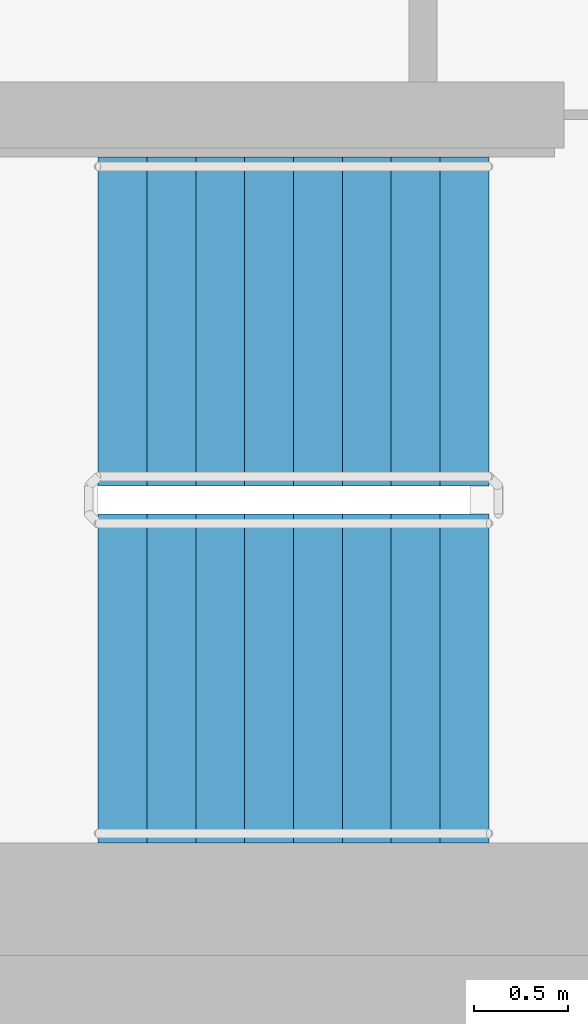
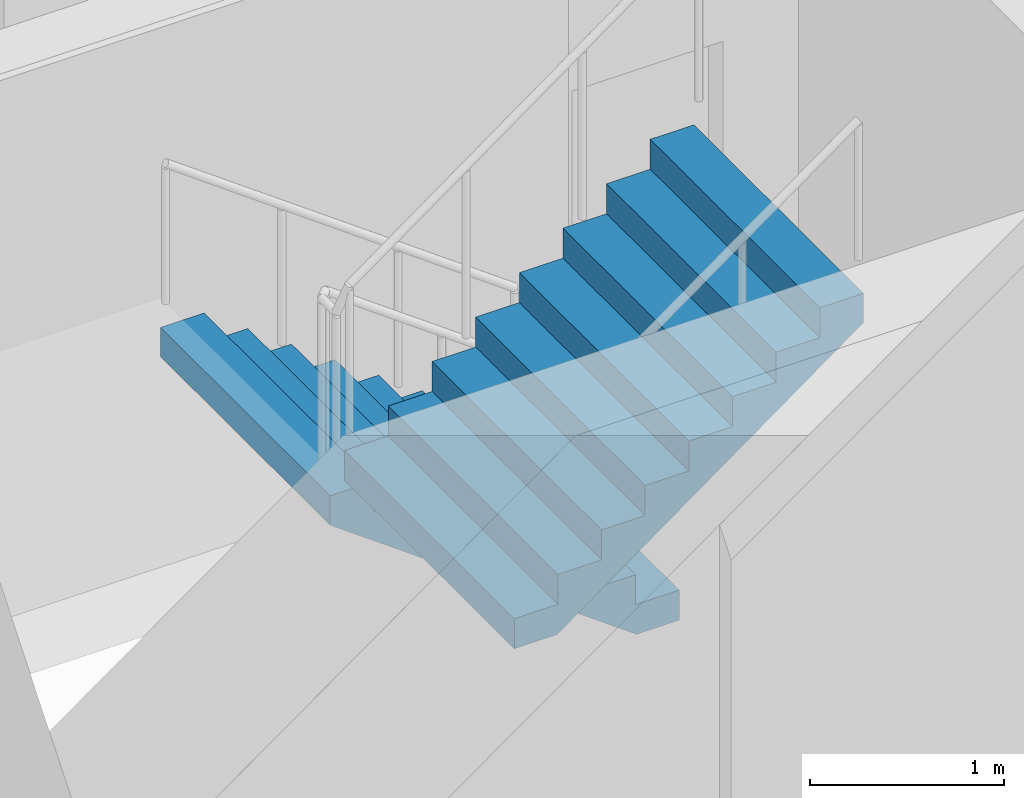
# One storey, part 13 of 19: 2 stair flights, 1 element without a shape of its own.
"""IFC4 building model written with IfcOpenShell, lengths in metres."""

from ifc_helpers import new_model, si_unit, direction, frame, origin, place, context, subcontext, project, spatial, faceted_brep, material, type_object, element, aggregate, save


model = new_model("IFC4")

# Units and contexts
model_context = context("Model", 3, precision=1e-05, world=origin(), true_north=direction((0.0, 1.0)))
body_context = subcontext(model_context, "Body", "Model", "MODEL_VIEW")
ifc_project = project(units=[si_unit("LENGTHUNIT", "METRE"), si_unit("AREAUNIT", "SQUARE_METRE"), si_unit("VOLUMEUNIT", "CUBIC_METRE"), si_unit("PLANEANGLEUNIT", "RADIAN"), si_unit("MASSUNIT", "GRAM", prefix="KILO")], contexts=[model_context])

# Site, building, storey
site_placement = place(None, origin())
site = spatial("IfcSite", under=ifc_project, at=site_placement, CompositionType="ELEMENT")
building_placement = place(site_placement, origin())
building = spatial("IfcBuilding", under=site, at=building_placement, Name="Ipe Terrace Towers", CompositionType="ELEMENT")
storey_placement = place(building_placement, frame((0.0, 0.0, 185.800048828125)))
storey = spatial("IfcBuildingStorey", under=building, at=storey_placement, Name="L51", CompositionType="ELEMENT", Elevation=185.800048828125)

# Stair, stair flights
ifc_material_1 = material(Name="Concrete C30/37", Category="concrete")
stair_type = type_object("IfcStairType", Name="Protected exit stair", PredefinedType="HALF_TURN_STAIR", material=ifc_material_1)
stair_placement = place(storey_placement, origin())
stair = element("IfcStair", 1, at=stair_placement, inside=storey, type_object=stair_type, Name="L51 Exit stair T1-C2", PredefinedType="HALF_TURN_STAIR")
ifc_material_2 = material(Name="Concrete C30/37", Category="concrete")
stair_flight_type = type_object("IfcStairFlightType", Name="Exit stair flight 1750", PredefinedType="STRAIGHT", material=ifc_material_2)
stair_flight_1_placement = place(storey_placement, frame((-45.699951171875, -2.77490234375, 0.0), z_axis=(0.0, 0.0, 1.0), x_axis=(-1.0, 0.0, 0.0)))
stair_flight_1 = element("IfcStairFlight", 2, at=stair_flight_1_placement, type_object=stair_flight_type, Name="T1-ST2 flight 1", NumberOfRisers=9, NumberOfTreads=8, PredefinedType="STRAIGHT", RiserHeight=0.188888889, TreadLength=0.26, context=body_context, shape_type="Brep", body=[
    faceted_brep([(0.255126953125, -0.875, 0.0), (2.080078125, -0.875, 1.325927734375), (2.080078125, -0.875, 1.51123046875), (1.820068359375, -0.875, 1.51123046875), (1.820068359375, -0.875, 1.322265625), (1.56005859375, -0.875, 1.322265625), (1.56005859375, -0.875, 1.13330078125), (1.300048828125, -0.875, 1.13330078125), (1.300048828125, -0.875, 0.9443359375), (1.0400390625, -0.875, 0.9443359375), (1.0400390625, -0.875, 0.755615234375), (0.780029296875, -0.875, 0.755615234375), (0.780029296875, -0.875, 0.566650390625), (0.52001953125, -0.875, 0.566650390625), (0.52001953125, -0.875, 0.377685546875), (0.260009765625, -0.875, 0.377685546875), (0.260009765625, -0.875, 0.18896484375), (0.0, -0.875, 0.18896484375), (0.0, -0.875, 0.0), (0.0, 0.875, 0.0), (0.0, 0.875, 0.18896484375), (0.260009765625, 0.875, 0.18896484375), (0.260009765625, 0.875, 0.377685546875), (0.52001953125, 0.875, 0.377685546875), (0.52001953125, 0.875, 0.566650390625), (0.780029296875, 0.875, 0.566650390625), (0.780029296875, 0.875, 0.755615234375), (1.0400390625, 0.875, 0.755615234375), (1.0400390625, 0.875, 0.9443359375), (1.300048828125, 0.875, 0.9443359375), (1.300048828125, 0.875, 1.13330078125), (1.56005859375, 0.875, 1.13330078125), (1.56005859375, 0.875, 1.322265625), (1.820068359375, 0.875, 1.322265625), (1.820068359375, 0.875, 1.51123046875), (2.080078125, 0.875, 1.51123046875), (2.080078125, 0.875, 1.325927734375), (0.255126953125, 0.875, 0.0), (0.0, -0.300048828125, 0.18896484375), (0.0, -0.1201171875, 0.18896484375), (0.0, -0.06005859375, 0.18896484375), (0.0, -0.030029296875, 0.18896484375), (0.0, -0.010009765625, 0.18896484375), (0.0, 0.0, 0.18896484375), (0.0, 0.010009765625, 0.18896484375), (0.0, 0.030029296875, 0.18896484375), (0.0, 0.06005859375, 0.18896484375), (0.0, 0.1201171875, 0.18896484375), (0.0, 0.300048828125, 0.18896484375), (0.0, 0.300048828125, 0.0), (0.0, 0.1201171875, 0.0), (0.0, 0.06005859375, 0.0), (0.0, 0.030029296875, 0.0), (0.0, 0.010009765625, 0.0), (0.0, 0.0, 0.0), (0.0, -0.010009765625, 0.0), (0.0, -0.030029296875, 0.0), (0.0, -0.06005859375, 0.0), (0.0, -0.1201171875, 0.0), (0.0, -0.300048828125, 0.0), (0.260009765625, -0.300048828125, 0.18896484375), (0.260009765625, -0.1201171875, 0.18896484375), (0.260009765625, -0.06005859375, 0.18896484375), (0.260009765625, -0.030029296875, 0.18896484375), (0.260009765625, -0.010009765625, 0.18896484375), (0.260009765625, 0.0, 0.18896484375), (0.260009765625, 0.010009765625, 0.18896484375), (0.260009765625, 0.030029296875, 0.18896484375), (0.260009765625, 0.06005859375, 0.18896484375), (0.260009765625, 0.1201171875, 0.18896484375), (0.260009765625, 0.300048828125, 0.18896484375), (0.260009765625, -0.300048828125, 0.377685546875), (0.260009765625, -0.1201171875, 0.377685546875), (0.260009765625, -0.06005859375, 0.377685546875), (0.260009765625, -0.030029296875, 0.377685546875), (0.260009765625, -0.010009765625, 0.377685546875), (0.260009765625, 0.0, 0.377685546875), (0.260009765625, 0.010009765625, 0.377685546875), (0.260009765625, 0.030029296875, 0.377685546875), (0.260009765625, 0.06005859375, 0.377685546875), (0.260009765625, 0.1201171875, 0.377685546875), (0.260009765625, 0.300048828125, 0.377685546875), (0.52001953125, -0.300048828125, 0.377685546875), (0.52001953125, -0.1201171875, 0.377685546875), (0.52001953125, -0.06005859375, 0.377685546875), (0.52001953125, -0.030029296875, 0.377685546875), (0.52001953125, -0.010009765625, 0.377685546875), (0.52001953125, 0.0, 0.377685546875), (0.52001953125, 0.010009765625, 0.377685546875), (0.52001953125, 0.030029296875, 0.377685546875), (0.52001953125, 0.06005859375, 0.377685546875), (0.52001953125, 0.1201171875, 0.377685546875), (0.52001953125, 0.300048828125, 0.377685546875), (0.52001953125, -0.300048828125, 0.566650390625), (0.52001953125, -0.1201171875, 0.566650390625), (0.52001953125, -0.06005859375, 0.566650390625), (0.52001953125, -0.030029296875, 0.566650390625), (0.52001953125, -0.010009765625, 0.566650390625), (0.52001953125, 0.0, 0.566650390625), (0.52001953125, 0.010009765625, 0.566650390625), (0.52001953125, 0.030029296875, 0.566650390625), (0.52001953125, 0.06005859375, 0.566650390625), (0.52001953125, 0.1201171875, 0.566650390625), (0.52001953125, 0.300048828125, 0.566650390625), (0.780029296875, -0.300048828125, 0.566650390625), (0.780029296875, -0.1201171875, 0.566650390625), (0.780029296875, -0.06005859375, 0.566650390625), (0.780029296875, -0.030029296875, 0.566650390625), (0.780029296875, -0.010009765625, 0.566650390625), (0.780029296875, 0.0, 0.566650390625), (0.780029296875, 0.010009765625, 0.566650390625), (0.780029296875, 0.030029296875, 0.566650390625), (0.780029296875, 0.06005859375, 0.566650390625), (0.780029296875, 0.1201171875, 0.566650390625), (0.780029296875, 0.300048828125, 0.566650390625), (0.780029296875, -0.300048828125, 0.755615234375), (0.780029296875, -0.1201171875, 0.755615234375), (0.780029296875, -0.06005859375, 0.755615234375), (0.780029296875, -0.030029296875, 0.755615234375), (0.780029296875, -0.010009765625, 0.755615234375), (0.780029296875, 0.0, 0.755615234375), (0.780029296875, 0.010009765625, 0.755615234375), (0.780029296875, 0.030029296875, 0.755615234375), (0.780029296875, 0.06005859375, 0.755615234375), (0.780029296875, 0.1201171875, 0.755615234375), (0.780029296875, 0.300048828125, 0.755615234375), (1.0400390625, -0.300048828125, 0.755615234375), (1.0400390625, -0.1201171875, 0.755615234375), (1.0400390625, -0.06005859375, 0.755615234375), (1.0400390625, -0.030029296875, 0.755615234375), (1.0400390625, -0.010009765625, 0.755615234375), (1.0400390625, 0.0, 0.755615234375), (1.0400390625, 0.010009765625, 0.755615234375), (1.0400390625, 0.030029296875, 0.755615234375), (1.0400390625, 0.06005859375, 0.755615234375), (1.0400390625, 0.1201171875, 0.755615234375), (1.0400390625, 0.300048828125, 0.755615234375), (1.0400390625, -0.300048828125, 0.9443359375), (1.0400390625, -0.1201171875, 0.9443359375), (1.0400390625, -0.06005859375, 0.9443359375), (1.0400390625, -0.030029296875, 0.9443359375), (1.0400390625, -0.010009765625, 0.9443359375), (1.0400390625, 0.0, 0.9443359375), (1.0400390625, 0.010009765625, 0.9443359375), (1.0400390625, 0.030029296875, 0.9443359375), (1.0400390625, 0.06005859375, 0.9443359375), (1.0400390625, 0.1201171875, 0.9443359375), (1.0400390625, 0.300048828125, 0.9443359375), (1.300048828125, -0.300048828125, 0.9443359375), (1.300048828125, -0.1201171875, 0.9443359375), (1.300048828125, -0.06005859375, 0.9443359375), (1.300048828125, -0.030029296875, 0.9443359375), (1.300048828125, -0.010009765625, 0.9443359375), (1.300048828125, 0.0, 0.9443359375), (1.300048828125, 0.010009765625, 0.9443359375), (1.300048828125, 0.030029296875, 0.9443359375), (1.300048828125, 0.06005859375, 0.9443359375), (1.300048828125, 0.1201171875, 0.9443359375), (1.300048828125, 0.300048828125, 0.9443359375), (1.300048828125, -0.300048828125, 1.13330078125), (1.300048828125, -0.1201171875, 1.13330078125), (1.300048828125, -0.06005859375, 1.13330078125), (1.300048828125, -0.030029296875, 1.13330078125), (1.300048828125, -0.010009765625, 1.13330078125), (1.300048828125, 0.0, 1.13330078125), (1.300048828125, 0.010009765625, 1.13330078125), (1.300048828125, 0.030029296875, 1.13330078125), (1.300048828125, 0.06005859375, 1.13330078125), (1.300048828125, 0.1201171875, 1.13330078125), (1.300048828125, 0.300048828125, 1.13330078125), (1.56005859375, -0.300048828125, 1.13330078125), (1.56005859375, -0.1201171875, 1.13330078125), (1.56005859375, -0.06005859375, 1.13330078125), (1.56005859375, -0.030029296875, 1.13330078125), (1.56005859375, -0.010009765625, 1.13330078125), (1.56005859375, 0.0, 1.13330078125), (1.56005859375, 0.010009765625, 1.13330078125), (1.56005859375, 0.030029296875, 1.13330078125), (1.56005859375, 0.06005859375, 1.13330078125), (1.56005859375, 0.1201171875, 1.13330078125), (1.56005859375, 0.300048828125, 1.13330078125), (1.56005859375, -0.300048828125, 1.322265625), (1.56005859375, -0.1201171875, 1.322265625), (1.56005859375, -0.06005859375, 1.322265625), (1.56005859375, -0.030029296875, 1.322265625), (1.56005859375, -0.010009765625, 1.322265625), (1.56005859375, 0.0, 1.322265625), (1.56005859375, 0.010009765625, 1.322265625), (1.56005859375, 0.030029296875, 1.322265625), (1.56005859375, 0.06005859375, 1.322265625), (1.56005859375, 0.1201171875, 1.322265625), (1.56005859375, 0.300048828125, 1.322265625), (1.820068359375, -0.300048828125, 1.322265625), (1.820068359375, -0.1201171875, 1.322265625), (1.820068359375, -0.06005859375, 1.322265625), (1.820068359375, -0.030029296875, 1.322265625), (1.820068359375, -0.010009765625, 1.322265625), (1.820068359375, 0.0, 1.322265625), (1.820068359375, 0.010009765625, 1.322265625), (1.820068359375, 0.030029296875, 1.322265625), (1.820068359375, 0.06005859375, 1.322265625), (1.820068359375, 0.1201171875, 1.322265625), (1.820068359375, 0.300048828125, 1.322265625), (1.820068359375, -0.300048828125, 1.51123046875), (1.820068359375, -0.1201171875, 1.51123046875), (1.820068359375, -0.06005859375, 1.51123046875), (1.820068359375, -0.030029296875, 1.51123046875), (1.820068359375, -0.010009765625, 1.51123046875), (1.820068359375, 0.0, 1.51123046875), (1.820068359375, 0.010009765625, 1.51123046875), (1.820068359375, 0.030029296875, 1.51123046875), (1.820068359375, 0.06005859375, 1.51123046875), (1.820068359375, 0.1201171875, 1.51123046875), (1.820068359375, 0.300048828125, 1.51123046875), (2.080078125, -0.300048828125, 1.51123046875), (2.080078125, -0.1201171875, 1.51123046875), (2.080078125, -0.06005859375, 1.51123046875), (2.080078125, -0.030029296875, 1.51123046875), (2.080078125, -0.010009765625, 1.51123046875), (2.080078125, 0.0, 1.51123046875), (2.080078125, 0.010009765625, 1.51123046875), (2.080078125, 0.030029296875, 1.51123046875), (2.080078125, 0.06005859375, 1.51123046875), (2.080078125, 0.1201171875, 1.51123046875), (2.080078125, 0.300048828125, 1.51123046875), (2.080078125, -0.300048828125, 1.325927734375), (2.080078125, -0.1201171875, 1.325927734375), (2.080078125, -0.06005859375, 1.325927734375), (2.080078125, -0.030029296875, 1.325927734375), (2.080078125, -0.010009765625, 1.325927734375), (2.080078125, 0.0, 1.325927734375), (2.080078125, 0.010009765625, 1.325927734375), (2.080078125, 0.030029296875, 1.325927734375), (2.080078125, 0.06005859375, 1.325927734375), (2.080078125, 0.1201171875, 1.325927734375), (2.080078125, 0.300048828125, 1.325927734375), (0.255126953125, -0.300048828125, 0.0), (0.255126953125, -0.1201171875, 0.0), (0.255126953125, -0.06005859375, 0.0), (0.255126953125, -0.030029296875, 0.0), (0.255126953125, -0.010009765625, 0.0), (0.255126953125, 0.0, 0.0), (0.255126953125, 0.010009765625, 0.0), (0.255126953125, 0.030029296875, 0.0), (0.255126953125, 0.06005859375, 0.0), (0.255126953125, 0.1201171875, 0.0), (0.255126953125, 0.300048828125, 0.0)], [[[0, 1, 2, 3, 4, 5, 6, 7, 8, 9, 10, 11, 12, 13, 14, 15, 16, 17, 18]], [[19, 20, 21, 22, 23, 24, 25, 26, 27, 28, 29, 30, 31, 32, 33, 34, 35, 36, 37]], [[17, 38, 39, 40, 41, 42, 43, 44, 45, 46, 47, 48, 20, 19, 49, 50, 51, 52, 53, 54, 55, 56, 57, 58, 59, 18]], [[16, 60, 61, 62, 63, 64, 65, 66, 67, 68, 69, 70, 21, 20, 48, 47, 46, 45, 44, 43, 42, 41, 40, 39, 38, 17]], [[15, 71, 72, 73, 74, 75, 76, 77, 78, 79, 80, 81, 22, 21, 70, 69, 68, 67, 66, 65, 64, 63, 62, 61, 60, 16]], [[14, 82, 83, 84, 85, 86, 87, 88, 89, 90, 91, 92, 23, 22, 81, 80, 79, 78, 77, 76, 75, 74, 73, 72, 71, 15]], [[13, 93, 94, 95, 96, 97, 98, 99, 100, 101, 102, 103, 24, 23, 92, 91, 90, 89, 88, 87, 86, 85, 84, 83, 82, 14]], [[12, 104, 105, 106, 107, 108, 109, 110, 111, 112, 113, 114, 25, 24, 103, 102, 101, 100, 99, 98, 97, 96, 95, 94, 93, 13]], [[11, 115, 116, 117, 118, 119, 120, 121, 122, 123, 124, 125, 26, 25, 114, 113, 112, 111, 110, 109, 108, 107, 106, 105, 104, 12]], [[10, 126, 127, 128, 129, 130, 131, 132, 133, 134, 135, 136, 27, 26, 125, 124, 123, 122, 121, 120, 119, 118, 117, 116, 115, 11]], [[9, 137, 138, 139, 140, 141, 142, 143, 144, 145, 146, 147, 28, 27, 136, 135, 134, 133, 132, 131, 130, 129, 128, 127, 126, 10]], [[8, 148, 149, 150, 151, 152, 153, 154, 155, 156, 157, 158, 29, 28, 147, 146, 145, 144, 143, 142, 141, 140, 139, 138, 137, 9]], [[7, 159, 160, 161, 162, 163, 164, 165, 166, 167, 168, 169, 30, 29, 158, 157, 156, 155, 154, 153, 152, 151, 150, 149, 148, 8]], [[6, 170, 171, 172, 173, 174, 175, 176, 177, 178, 179, 180, 31, 30, 169, 168, 167, 166, 165, 164, 163, 162, 161, 160, 159, 7]], [[5, 181, 182, 183, 184, 185, 186, 187, 188, 189, 190, 191, 32, 31, 180, 179, 178, 177, 176, 175, 174, 173, 172, 171, 170, 6]], [[4, 192, 193, 194, 195, 196, 197, 198, 199, 200, 201, 202, 33, 32, 191, 190, 189, 188, 187, 186, 185, 184, 183, 182, 181, 5]], [[3, 203, 204, 205, 206, 207, 208, 209, 210, 211, 212, 213, 34, 33, 202, 201, 200, 199, 198, 197, 196, 195, 194, 193, 192, 4]], [[2, 214, 215, 216, 217, 218, 219, 220, 221, 222, 223, 224, 35, 34, 213, 212, 211, 210, 209, 208, 207, 206, 205, 204, 203, 3]], [[1, 225, 226, 227, 228, 229, 230, 231, 232, 233, 234, 235, 36, 35, 224, 223, 222, 221, 220, 219, 218, 217, 216, 215, 214, 2]], [[0, 236, 237, 238, 239, 240, 241, 242, 243, 244, 245, 246, 37, 36, 235, 234, 233, 232, 231, 230, 229, 228, 227, 226, 225, 1]], [[18, 59, 58, 57, 56, 55, 54, 53, 52, 51, 50, 49, 19, 37, 246, 245, 244, 243, 242, 241, 240, 239, 238, 237, 236, 0]]]),
])
stair_flight_2_placement = place(storey_placement, frame((-47.780029296875, -4.675048828125, 1.699951171875), z_axis=(0.0, 0.0, 1.0), x_axis=(1.0, 0.0, 0.0)))
stair_flight_2 = element("IfcStairFlight", 3, at=stair_flight_2_placement, type_object=stair_flight_type, Name="T1-ST2 flight 2", NumberOfRisers=9, NumberOfTreads=8, PredefinedType="STRAIGHT", RiserHeight=0.188888889, TreadLength=0.26, context=body_context, shape_type="Brep", body=[
    faceted_brep([(0.255126953125, -0.875, 0.0), (2.080078125, -0.875, 1.325927734375), (2.080078125, -0.875, 1.51123046875), (1.820068359375, -0.875, 1.51123046875), (1.820068359375, -0.875, 1.322265625), (1.56005859375, -0.875, 1.322265625), (1.56005859375, -0.875, 1.13330078125), (1.300048828125, -0.875, 1.13330078125), (1.300048828125, -0.875, 0.9443359375), (1.0400390625, -0.875, 0.9443359375), (1.0400390625, -0.875, 0.755615234375), (0.780029296875, -0.875, 0.755615234375), (0.780029296875, -0.875, 0.566650390625), (0.52001953125, -0.875, 0.566650390625), (0.52001953125, -0.875, 0.377685546875), (0.260009765625, -0.875, 0.377685546875), (0.260009765625, -0.875, 0.18896484375), (0.0, -0.875, 0.18896484375), (0.0, -0.875, 0.0), (0.0, 0.875, 0.0), (0.0, 0.875, 0.18896484375), (0.260009765625, 0.875, 0.18896484375), (0.260009765625, 0.875, 0.377685546875), (0.52001953125, 0.875, 0.377685546875), (0.52001953125, 0.875, 0.566650390625), (0.780029296875, 0.875, 0.566650390625), (0.780029296875, 0.875, 0.755615234375), (1.0400390625, 0.875, 0.755615234375), (1.0400390625, 0.875, 0.9443359375), (1.300048828125, 0.875, 0.9443359375), (1.300048828125, 0.875, 1.13330078125), (1.56005859375, 0.875, 1.13330078125), (1.56005859375, 0.875, 1.322265625), (1.820068359375, 0.875, 1.322265625), (1.820068359375, 0.875, 1.51123046875), (2.080078125, 0.875, 1.51123046875), (2.080078125, 0.875, 1.325927734375), (0.255126953125, 0.875, 0.0), (0.0, -0.300048828125, 0.18896484375), (0.0, -0.1201171875, 0.18896484375), (0.0, -0.06005859375, 0.18896484375), (0.0, -0.030029296875, 0.18896484375), (0.0, -0.010009765625, 0.18896484375), (0.0, 0.0, 0.18896484375), (0.0, 0.010009765625, 0.18896484375), (0.0, 0.030029296875, 0.18896484375), (0.0, 0.06005859375, 0.18896484375), (0.0, 0.1201171875, 0.18896484375), (0.0, 0.300048828125, 0.18896484375), (0.0, 0.300048828125, 0.0), (0.0, 0.1201171875, 0.0), (0.0, 0.06005859375, 0.0), (0.0, 0.030029296875, 0.0), (0.0, 0.010009765625, 0.0), (0.0, 0.0, 0.0), (0.0, -0.010009765625, 0.0), (0.0, -0.030029296875, 0.0), (0.0, -0.06005859375, 0.0), (0.0, -0.1201171875, 0.0), (0.0, -0.300048828125, 0.0), (0.260009765625, -0.300048828125, 0.18896484375), (0.260009765625, -0.1201171875, 0.18896484375), (0.260009765625, -0.06005859375, 0.18896484375), (0.260009765625, -0.030029296875, 0.18896484375), (0.260009765625, -0.010009765625, 0.18896484375), (0.260009765625, 0.0, 0.18896484375), (0.260009765625, 0.010009765625, 0.18896484375), (0.260009765625, 0.030029296875, 0.18896484375), (0.260009765625, 0.06005859375, 0.18896484375), (0.260009765625, 0.1201171875, 0.18896484375), (0.260009765625, 0.300048828125, 0.18896484375), (0.260009765625, -0.300048828125, 0.377685546875), (0.260009765625, -0.1201171875, 0.377685546875), (0.260009765625, -0.06005859375, 0.377685546875), (0.260009765625, -0.030029296875, 0.377685546875), (0.260009765625, -0.010009765625, 0.377685546875), (0.260009765625, 0.0, 0.377685546875), (0.260009765625, 0.010009765625, 0.377685546875), (0.260009765625, 0.030029296875, 0.377685546875), (0.260009765625, 0.06005859375, 0.377685546875), (0.260009765625, 0.1201171875, 0.377685546875), (0.260009765625, 0.300048828125, 0.377685546875), (0.52001953125, -0.300048828125, 0.377685546875), (0.52001953125, -0.1201171875, 0.377685546875), (0.52001953125, -0.06005859375, 0.377685546875), (0.52001953125, -0.030029296875, 0.377685546875), (0.52001953125, -0.010009765625, 0.377685546875), (0.52001953125, 0.0, 0.377685546875), (0.52001953125, 0.010009765625, 0.377685546875), (0.52001953125, 0.030029296875, 0.377685546875), (0.52001953125, 0.06005859375, 0.377685546875), (0.52001953125, 0.1201171875, 0.377685546875), (0.52001953125, 0.300048828125, 0.377685546875), (0.52001953125, -0.300048828125, 0.566650390625), (0.52001953125, -0.1201171875, 0.566650390625), (0.52001953125, -0.06005859375, 0.566650390625), (0.52001953125, -0.030029296875, 0.566650390625), (0.52001953125, -0.010009765625, 0.566650390625), (0.52001953125, 0.0, 0.566650390625), (0.52001953125, 0.010009765625, 0.566650390625), (0.52001953125, 0.030029296875, 0.566650390625), (0.52001953125, 0.06005859375, 0.566650390625), (0.52001953125, 0.1201171875, 0.566650390625), (0.52001953125, 0.300048828125, 0.566650390625), (0.780029296875, -0.300048828125, 0.566650390625), (0.780029296875, -0.1201171875, 0.566650390625), (0.780029296875, -0.06005859375, 0.566650390625), (0.780029296875, -0.030029296875, 0.566650390625), (0.780029296875, -0.010009765625, 0.566650390625), (0.780029296875, 0.0, 0.566650390625), (0.780029296875, 0.010009765625, 0.566650390625), (0.780029296875, 0.030029296875, 0.566650390625), (0.780029296875, 0.06005859375, 0.566650390625), (0.780029296875, 0.1201171875, 0.566650390625), (0.780029296875, 0.300048828125, 0.566650390625), (0.780029296875, -0.300048828125, 0.755615234375), (0.780029296875, -0.1201171875, 0.755615234375), (0.780029296875, -0.06005859375, 0.755615234375), (0.780029296875, -0.030029296875, 0.755615234375), (0.780029296875, -0.010009765625, 0.755615234375), (0.780029296875, 0.0, 0.755615234375), (0.780029296875, 0.010009765625, 0.755615234375), (0.780029296875, 0.030029296875, 0.755615234375), (0.780029296875, 0.06005859375, 0.755615234375), (0.780029296875, 0.1201171875, 0.755615234375), (0.780029296875, 0.300048828125, 0.755615234375), (1.0400390625, -0.300048828125, 0.755615234375), (1.0400390625, -0.1201171875, 0.755615234375), (1.0400390625, -0.06005859375, 0.755615234375), (1.0400390625, -0.030029296875, 0.755615234375), (1.0400390625, -0.010009765625, 0.755615234375), (1.0400390625, 0.0, 0.755615234375), (1.0400390625, 0.010009765625, 0.755615234375), (1.0400390625, 0.030029296875, 0.755615234375), (1.0400390625, 0.06005859375, 0.755615234375), (1.0400390625, 0.1201171875, 0.755615234375), (1.0400390625, 0.300048828125, 0.755615234375), (1.0400390625, -0.300048828125, 0.9443359375), (1.0400390625, -0.1201171875, 0.9443359375), (1.0400390625, -0.06005859375, 0.9443359375), (1.0400390625, -0.030029296875, 0.9443359375), (1.0400390625, -0.010009765625, 0.9443359375), (1.0400390625, 0.0, 0.9443359375), (1.0400390625, 0.010009765625, 0.9443359375), (1.0400390625, 0.030029296875, 0.9443359375), (1.0400390625, 0.06005859375, 0.9443359375), (1.0400390625, 0.1201171875, 0.9443359375), (1.0400390625, 0.300048828125, 0.9443359375), (1.300048828125, -0.300048828125, 0.9443359375), (1.300048828125, -0.1201171875, 0.9443359375), (1.300048828125, -0.06005859375, 0.9443359375), (1.300048828125, -0.030029296875, 0.9443359375), (1.300048828125, -0.010009765625, 0.9443359375), (1.300048828125, 0.0, 0.9443359375), (1.300048828125, 0.010009765625, 0.9443359375), (1.300048828125, 0.030029296875, 0.9443359375), (1.300048828125, 0.06005859375, 0.9443359375), (1.300048828125, 0.1201171875, 0.9443359375), (1.300048828125, 0.300048828125, 0.9443359375), (1.300048828125, -0.300048828125, 1.13330078125), (1.300048828125, -0.1201171875, 1.13330078125), (1.300048828125, -0.06005859375, 1.13330078125), (1.300048828125, -0.030029296875, 1.13330078125), (1.300048828125, -0.010009765625, 1.13330078125), (1.300048828125, 0.0, 1.13330078125), (1.300048828125, 0.010009765625, 1.13330078125), (1.300048828125, 0.030029296875, 1.13330078125), (1.300048828125, 0.06005859375, 1.13330078125), (1.300048828125, 0.1201171875, 1.13330078125), (1.300048828125, 0.300048828125, 1.13330078125), (1.56005859375, -0.300048828125, 1.13330078125), (1.56005859375, -0.1201171875, 1.13330078125), (1.56005859375, -0.06005859375, 1.13330078125), (1.56005859375, -0.030029296875, 1.13330078125), (1.56005859375, -0.010009765625, 1.13330078125), (1.56005859375, 0.0, 1.13330078125), (1.56005859375, 0.010009765625, 1.13330078125), (1.56005859375, 0.030029296875, 1.13330078125), (1.56005859375, 0.06005859375, 1.13330078125), (1.56005859375, 0.1201171875, 1.13330078125), (1.56005859375, 0.300048828125, 1.13330078125), (1.56005859375, -0.300048828125, 1.322265625), (1.56005859375, -0.1201171875, 1.322265625), (1.56005859375, -0.06005859375, 1.322265625), (1.56005859375, -0.030029296875, 1.322265625), (1.56005859375, -0.010009765625, 1.322265625), (1.56005859375, 0.0, 1.322265625), (1.56005859375, 0.010009765625, 1.322265625), (1.56005859375, 0.030029296875, 1.322265625), (1.56005859375, 0.06005859375, 1.322265625), (1.56005859375, 0.1201171875, 1.322265625), (1.56005859375, 0.300048828125, 1.322265625), (1.820068359375, -0.300048828125, 1.322265625), (1.820068359375, -0.1201171875, 1.322265625), (1.820068359375, -0.06005859375, 1.322265625), (1.820068359375, -0.030029296875, 1.322265625), (1.820068359375, -0.010009765625, 1.322265625), (1.820068359375, 0.0, 1.322265625), (1.820068359375, 0.010009765625, 1.322265625), (1.820068359375, 0.030029296875, 1.322265625), (1.820068359375, 0.06005859375, 1.322265625), (1.820068359375, 0.1201171875, 1.322265625), (1.820068359375, 0.300048828125, 1.322265625), (1.820068359375, -0.300048828125, 1.51123046875), (1.820068359375, -0.1201171875, 1.51123046875), (1.820068359375, -0.06005859375, 1.51123046875), (1.820068359375, -0.030029296875, 1.51123046875), (1.820068359375, -0.010009765625, 1.51123046875), (1.820068359375, 0.0, 1.51123046875), (1.820068359375, 0.010009765625, 1.51123046875), (1.820068359375, 0.030029296875, 1.51123046875), (1.820068359375, 0.06005859375, 1.51123046875), (1.820068359375, 0.1201171875, 1.51123046875), (1.820068359375, 0.300048828125, 1.51123046875), (2.080078125, -0.300048828125, 1.51123046875), (2.080078125, -0.1201171875, 1.51123046875), (2.080078125, -0.06005859375, 1.51123046875), (2.080078125, -0.030029296875, 1.51123046875), (2.080078125, -0.010009765625, 1.51123046875), (2.080078125, 0.0, 1.51123046875), (2.080078125, 0.010009765625, 1.51123046875), (2.080078125, 0.030029296875, 1.51123046875), (2.080078125, 0.06005859375, 1.51123046875), (2.080078125, 0.1201171875, 1.51123046875), (2.080078125, 0.300048828125, 1.51123046875), (2.080078125, -0.300048828125, 1.325927734375), (2.080078125, -0.1201171875, 1.325927734375), (2.080078125, -0.06005859375, 1.325927734375), (2.080078125, -0.030029296875, 1.325927734375), (2.080078125, -0.010009765625, 1.325927734375), (2.080078125, 0.0, 1.325927734375), (2.080078125, 0.010009765625, 1.325927734375), (2.080078125, 0.030029296875, 1.325927734375), (2.080078125, 0.06005859375, 1.325927734375), (2.080078125, 0.1201171875, 1.325927734375), (2.080078125, 0.300048828125, 1.325927734375), (0.255126953125, -0.300048828125, 0.0), (0.255126953125, -0.1201171875, 0.0), (0.255126953125, -0.06005859375, 0.0), (0.255126953125, -0.030029296875, 0.0), (0.255126953125, -0.010009765625, 0.0), (0.255126953125, 0.0, 0.0), (0.255126953125, 0.010009765625, 0.0), (0.255126953125, 0.030029296875, 0.0), (0.255126953125, 0.06005859375, 0.0), (0.255126953125, 0.1201171875, 0.0), (0.255126953125, 0.300048828125, 0.0)], [[[0, 1, 2, 3, 4, 5, 6, 7, 8, 9, 10, 11, 12, 13, 14, 15, 16, 17, 18]], [[19, 20, 21, 22, 23, 24, 25, 26, 27, 28, 29, 30, 31, 32, 33, 34, 35, 36, 37]], [[17, 38, 39, 40, 41, 42, 43, 44, 45, 46, 47, 48, 20, 19, 49, 50, 51, 52, 53, 54, 55, 56, 57, 58, 59, 18]], [[16, 60, 61, 62, 63, 64, 65, 66, 67, 68, 69, 70, 21, 20, 48, 47, 46, 45, 44, 43, 42, 41, 40, 39, 38, 17]], [[15, 71, 72, 73, 74, 75, 76, 77, 78, 79, 80, 81, 22, 21, 70, 69, 68, 67, 66, 65, 64, 63, 62, 61, 60, 16]], [[14, 82, 83, 84, 85, 86, 87, 88, 89, 90, 91, 92, 23, 22, 81, 80, 79, 78, 77, 76, 75, 74, 73, 72, 71, 15]], [[13, 93, 94, 95, 96, 97, 98, 99, 100, 101, 102, 103, 24, 23, 92, 91, 90, 89, 88, 87, 86, 85, 84, 83, 82, 14]], [[12, 104, 105, 106, 107, 108, 109, 110, 111, 112, 113, 114, 25, 24, 103, 102, 101, 100, 99, 98, 97, 96, 95, 94, 93, 13]], [[11, 115, 116, 117, 118, 119, 120, 121, 122, 123, 124, 125, 26, 25, 114, 113, 112, 111, 110, 109, 108, 107, 106, 105, 104, 12]], [[10, 126, 127, 128, 129, 130, 131, 132, 133, 134, 135, 136, 27, 26, 125, 124, 123, 122, 121, 120, 119, 118, 117, 116, 115, 11]], [[9, 137, 138, 139, 140, 141, 142, 143, 144, 145, 146, 147, 28, 27, 136, 135, 134, 133, 132, 131, 130, 129, 128, 127, 126, 10]], [[8, 148, 149, 150, 151, 152, 153, 154, 155, 156, 157, 158, 29, 28, 147, 146, 145, 144, 143, 142, 141, 140, 139, 138, 137, 9]], [[7, 159, 160, 161, 162, 163, 164, 165, 166, 167, 168, 169, 30, 29, 158, 157, 156, 155, 154, 153, 152, 151, 150, 149, 148, 8]], [[6, 170, 171, 172, 173, 174, 175, 176, 177, 178, 179, 180, 31, 30, 169, 168, 167, 166, 165, 164, 163, 162, 161, 160, 159, 7]], [[5, 181, 182, 183, 184, 185, 186, 187, 188, 189, 190, 191, 32, 31, 180, 179, 178, 177, 176, 175, 174, 173, 172, 171, 170, 6]], [[4, 192, 193, 194, 195, 196, 197, 198, 199, 200, 201, 202, 33, 32, 191, 190, 189, 188, 187, 186, 185, 184, 183, 182, 181, 5]], [[3, 203, 204, 205, 206, 207, 208, 209, 210, 211, 212, 213, 34, 33, 202, 201, 200, 199, 198, 197, 196, 195, 194, 193, 192, 4]], [[2, 214, 215, 216, 217, 218, 219, 220, 221, 222, 223, 224, 35, 34, 213, 212, 211, 210, 209, 208, 207, 206, 205, 204, 203, 3]], [[1, 225, 226, 227, 228, 229, 230, 231, 232, 233, 234, 235, 36, 35, 224, 223, 222, 221, 220, 219, 218, 217, 216, 215, 214, 2]], [[0, 236, 237, 238, 239, 240, 241, 242, 243, 244, 245, 246, 37, 36, 235, 234, 233, 232, 231, 230, 229, 228, 227, 226, 225, 1]], [[18, 59, 58, 57, 56, 55, 54, 53, 52, 51, 50, 49, 19, 37, 246, 245, 244, 243, 242, 241, 240, 239, 238, 237, 236, 0]]]),
])
aggregate(stair, [stair_flight_1, stair_flight_2])

save(model, "model.ifc")
